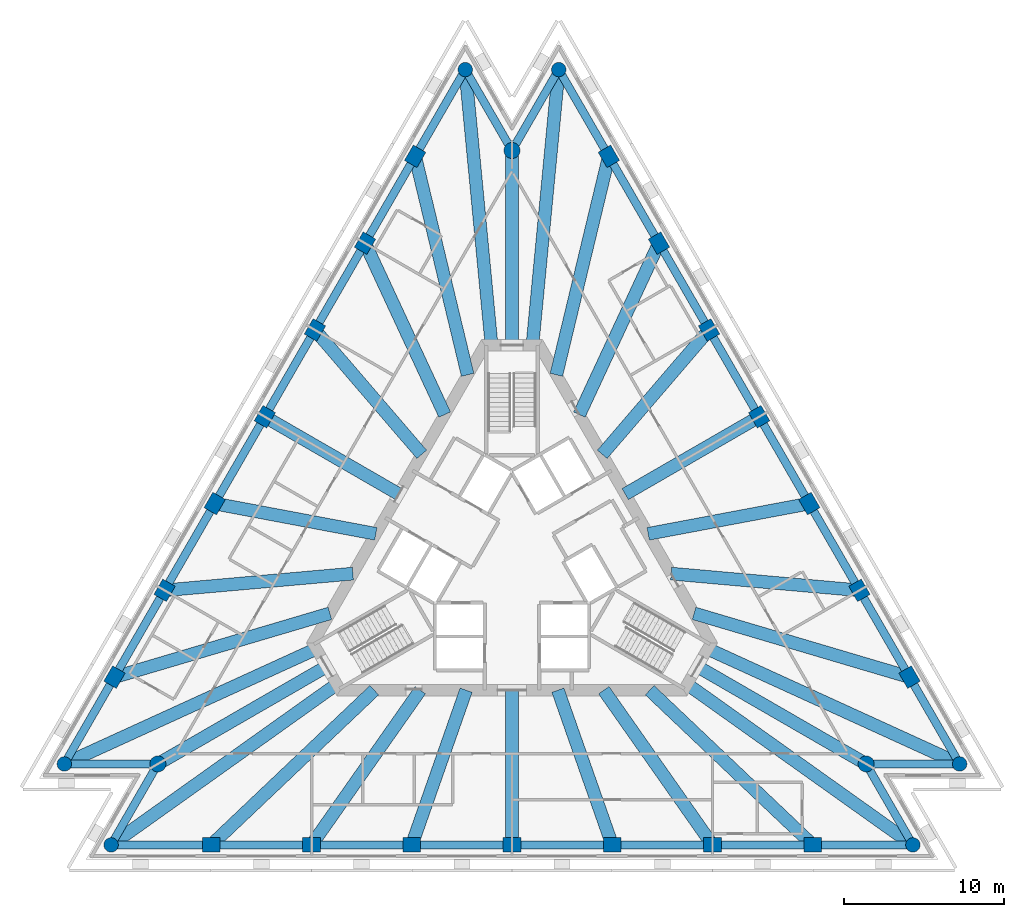
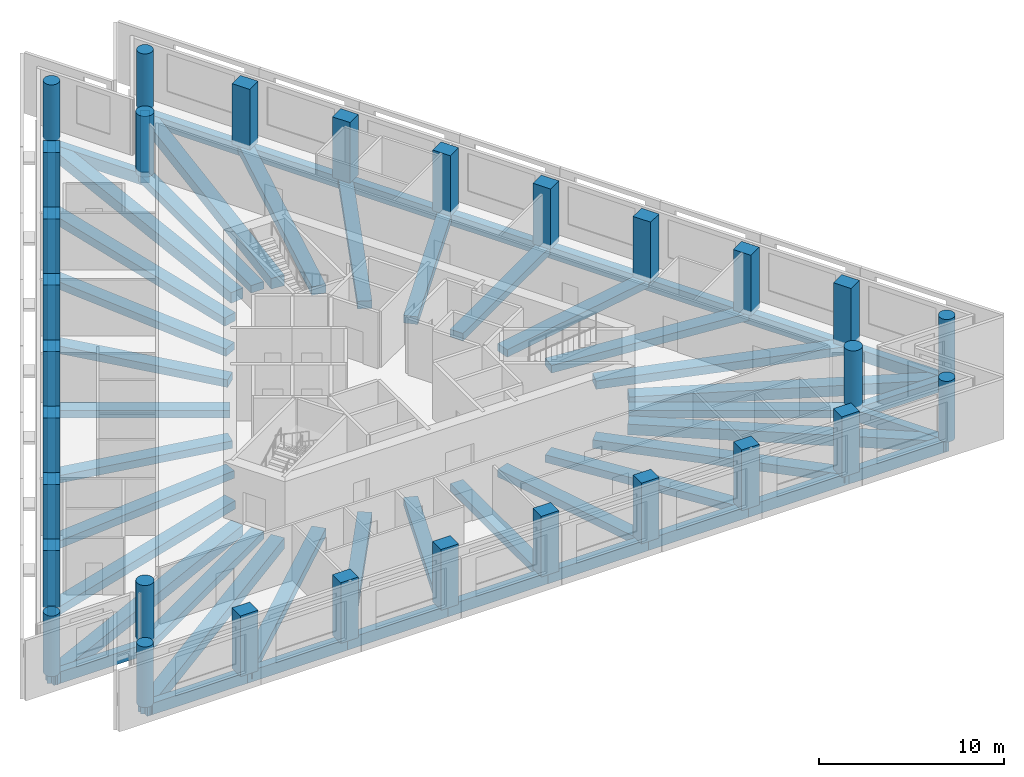
# One storey, part 1 of 10: 60 beams, 30 columns.
"""IFC4 building model written with IfcOpenShell, lengths in metres."""

import ifcopenshell
import ifcopenshell.guid

model = None  # the IFC model being written
_history = None  # IfcOwnerHistory: only IFC2X3 demands one
_inside = {}  # id of a spatial element -> (the spatial element, [elements in it])
_under = {}  # id of a project, library or spatial element -> (it, [spatial elements below it])
_declared = {}  # id of a project -> (the project, [libraries it declares])
_typed = {}  # id of a type object -> (the type object, [elements of that type])
_made_of = {}  # id of a material, layer set ... -> (it, [elements and type objects made of it])


def new_model(schema):
    """Start an empty IFC model of exactly this schema.

    Asked for "IFC4X3", IfcOpenShell would pick the latest addendum, in which some entities
    have other attributes; the version numbers below select the first issue.
    IFC2X3 requires an IfcOwnerHistory on every rooted entity: one is made here for all.
    """
    global model, _history
    if schema == "IFC4X3":
        model = ifcopenshell.file(schema_version=(4, 3, 0, 0))
    else:
        model = ifcopenshell.file(schema=schema)
    _inside.clear()
    _under.clear()
    _declared.clear()
    _typed.clear()
    _made_of.clear()
    _history = None
    if model.schema == "IFC2X3":
        org = make("IfcOrganization", Name="unknown")
        user = make(
            "IfcPersonAndOrganization",
            ThePerson=make("IfcPerson", FamilyName="unknown"),
            TheOrganization=org,
        )
        app = make(
            "IfcApplication",
            ApplicationDeveloper=org,
            Version="unknown",
            ApplicationFullName="unknown",
            ApplicationIdentifier="unknown",
        )
        _history = make(
            "IfcOwnerHistory",
            OwningUser=user,
            OwningApplication=app,
            ChangeAction="ADDED",
            CreationDate=0,
        )
    return model


def make(cls, **values):
    """One entity of the class cls with the attributes given. An attribute that is None is left unset."""
    return model.create_entity(
        cls, **{name: value for name, value in values.items() if value is not None}
    )


def rooted(cls, **values):
    """An entity with a GlobalId (a new one), such as an element, a storey or a relation."""
    return make(cls, GlobalId=ifcopenshell.guid.new(), OwnerHistory=_history, **values)


def si_unit(unit_type, name, prefix=None):
    """IfcSIUnit, for example si_unit("LENGTHUNIT", "METRE", prefix="MILLI")."""
    return make("IfcSIUnit", UnitType=unit_type, Prefix=prefix, Name=name)


def assignment(units):
    """IfcUnitAssignment: the units of a project."""
    return None if units is None else make("IfcUnitAssignment", Units=units)


def point(xyz):
    """IfcCartesianPoint."""
    return None if xyz is None else make("IfcCartesianPoint", Coordinates=xyz)


def direction(xyz):
    """IfcDirection."""
    return None if xyz is None else make("IfcDirection", DirectionRatios=xyz)


def frame(location, z_axis=None, x_axis=None):
    """IfcAxis2Placement3D, a coordinate frame: its origin and axes. An axis left out is left unset."""
    return make(
        "IfcAxis2Placement3D",
        Location=point(location),
        Axis=direction(z_axis),
        RefDirection=direction(x_axis),
    )


def frame_2d(location, x_axis=None):
    """IfcAxis2Placement2D, a coordinate frame in the plane: its origin and x axis."""
    return make(
        "IfcAxis2Placement2D", Location=point(location), RefDirection=direction(x_axis)
    )


def origin():
    """The frame at (0, 0, 0) with its axes left unset."""
    return frame((0.0, 0.0, 0.0))


def origin_2d():
    """The frame at (0, 0) in the plane with its x axis left unset."""
    return frame_2d((0.0, 0.0))


def place(relative_to, where):
    """IfcLocalPlacement: puts the frame where relative to a parent placement (None: the world)."""
    return make(
        "IfcLocalPlacement", PlacementRelTo=relative_to, RelativePlacement=where
    )


def context(
    kind, dimensions, precision=None, world=None, true_north=None, identifier=None
):
    """IfcGeometricRepresentationContext, for example the 3D "Model" context."""
    return make(
        "IfcGeometricRepresentationContext",
        ContextIdentifier=identifier,
        ContextType=kind,
        CoordinateSpaceDimension=dimensions,
        Precision=precision,
        WorldCoordinateSystem=world,
        TrueNorth=true_north,
    )


def subcontext(parent, identifier, kind, view, scale=None):
    """IfcGeometricRepresentationSubContext, for example "Body" below "Model"."""
    return make(
        "IfcGeometricRepresentationSubContext",
        ContextIdentifier=identifier,
        ContextType=kind,
        ParentContext=parent,
        TargetScale=scale,
        TargetView=view,
    )


def project(units=None, contexts=None):
    """IfcProject with its units and contexts."""
    return rooted(
        "IfcProject",
        Name="project",
        RepresentationContexts=contexts,
        UnitsInContext=assignment(units),
    )


def spatial(cls, under=None, at=None, **own):
    """A site, building, storey or space (cls), placed at a placement, below another one or the project."""
    s = rooted(cls, ObjectPlacement=at, **own)
    if under is not None:
        _under.setdefault(under.id(), (under, []))[1].append(s)
    return s


def profile(cls, at=None, kind="AREA", **sizes):
    """A parametric profile (cls). Its sizes go by their IFC names, for example OverallWidth=200.0."""
    return make(cls, ProfileType=kind, Position=at, **sizes)


def rectangle(**sizes):
    """IfcRectangleProfileDef."""
    return profile("IfcRectangleProfileDef", **sizes)


def circle(**sizes):
    """IfcCircleProfileDef."""
    return profile("IfcCircleProfileDef", **sizes)


def extrude(swept, where, along, depth):
    """IfcExtrudedAreaSolid: the profile swept, set in the frame where, extruded along a direction by depth."""
    return make(
        "IfcExtrudedAreaSolid",
        SweptArea=swept,
        Position=where,
        ExtrudedDirection=direction(along),
        Depth=depth,
    )


def shape(context_of_items, identifier, shape_type, items):
    """IfcShapeRepresentation: the items that make up one representation, for example the "Body"."""
    return make(
        "IfcShapeRepresentation",
        ContextOfItems=context_of_items,
        RepresentationIdentifier=identifier,
        RepresentationType=shape_type,
        Items=items,
    )


def material(Name=None, Category=None):
    """IfcMaterial."""
    return make("IfcMaterial", Name=Name, Category=Category)


def material_profile(
    of_material, cross_section, Name=None, Category=None, Priority=None
):
    """IfcMaterialProfile: a cross section and its material."""
    return make(
        "IfcMaterialProfile",
        Name=Name,
        Material=of_material,
        Profile=cross_section,
        Priority=Priority,
        Category=Category,
    )


def profile_set(profiles, Name=None, composite=None):
    """IfcMaterialProfileSet."""
    return make(
        "IfcMaterialProfileSet",
        Name=Name,
        MaterialProfiles=profiles,
        CompositeProfile=composite,
    )


def made_of(thing, what):
    """Note that an element or type object is made of a material, layer set ...; save() writes the relation."""
    if what is not None:
        _made_of.setdefault(what.id(), (what, []))[1].append(thing)
    return thing


def type_object(cls, material=None, **own):
    """A type object (cls), such as IfcWallType, which elements share."""
    return made_of(rooted(cls, **own), material)


def element(
    cls,
    number,
    at=None,
    inside=None,
    cuts=None,
    type_object=None,
    material=None,
    context=None,
    identifier="Body",
    shape_type=None,
    held_by="IfcProductDefinitionShape",
    body=None,
    shapes=None,
    **own,
):
    """One element of the class cls, such as IfcWall. Its Tag is "e" and its number.

    at: its placement. inside: the storey or other place that contains it. cuts: it is an
    opening in that element (IfcRelVoidsElement). A single representation is given by context,
    identifier, shape_type and body (its items); several are given by shapes. held_by: the class
    of the entity that holds the representations. save() writes the other relations.
    """
    e = rooted(cls, Tag="e%d" % number, ObjectPlacement=at, **own)
    if body is not None:
        shapes = [shape(context, identifier, shape_type, body)]
    if shapes is not None:
        e.Representation = make(held_by, Representations=shapes)
    if inside is not None:
        _inside.setdefault(inside.id(), (inside, []))[1].append(e)
    if cuts is not None:
        rooted(
            "IfcRelVoidsElement", RelatingBuildingElement=cuts, RelatedOpeningElement=e
        )
    if type_object is not None:
        _typed.setdefault(type_object.id(), (type_object, []))[1].append(e)
    return made_of(e, material)


def aggregate(whole, parts):
    """IfcRelAggregates: a whole, such as a stair, and the parts it consists of."""
    return rooted("IfcRelAggregates", RelatingObject=whole, RelatedObjects=parts)


def save(model, path):
    """Write the relations noted so far, then the file.

    IfcRelAggregates (storeys below a building ...), IfcRelContainedInSpatialStructure (elements
    in a storey), IfcRelDefinesByType, IfcRelAssociatesMaterial and IfcRelDeclares: one each for
    every whole, place, type object, material and project.
    """
    for whole, parts in _under.values():
        aggregate(whole, parts)
    for where, things in _inside.values():
        rooted(
            "IfcRelContainedInSpatialStructure",
            RelatedElements=things,
            RelatingStructure=where,
        )
    for kind, things in _typed.values():
        rooted("IfcRelDefinesByType", RelatedObjects=things, RelatingType=kind)
    for what, things in _made_of.values():
        rooted("IfcRelAssociatesMaterial", RelatedObjects=things, RelatingMaterial=what)
    for by, libraries in _declared.values():
        rooted("IfcRelDeclares", RelatingContext=by, RelatedDefinitions=libraries)
    model.write(path)


model = new_model("IFC4")

# Units and contexts
model_context = context("Model", 3, precision=1e-05, world=origin(), true_north=direction((0.0, 1.0)))
body_context = subcontext(model_context, "Body", "Model", "MODEL_VIEW")
ifc_project = project(units=[si_unit("LENGTHUNIT", "METRE"), si_unit("AREAUNIT", "SQUARE_METRE"), si_unit("VOLUMEUNIT", "CUBIC_METRE"), si_unit("PLANEANGLEUNIT", "RADIAN"), si_unit("MASSUNIT", "GRAM", prefix="KILO")], contexts=[model_context])

# Site, building, storey
site_placement = place(None, origin())
site = spatial("IfcSite", under=ifc_project, at=site_placement, CompositionType="ELEMENT")
building_placement = place(site_placement, origin())
building = spatial("IfcBuilding", under=site, at=building_placement, Name="Triada Interchange Tower", CompositionType="ELEMENT")
storey_placement = place(building_placement, frame((0.0, 0.0, 195.300048828125)))
storey = spatial("IfcBuildingStorey", under=building, at=storey_placement, Name="L45", CompositionType="ELEMENT", Elevation=195.300048828125)

# Columns
ifc_material = material(Name="Concrete C50/60", Category="concrete")
ifc_material_profile_1 = material_profile(ifc_material, rectangle(XDim=1.10009765625, YDim=0.89990234375, at=origin_2d()), Name="RC 1100x900")
ifc_profile_set_1 = profile_set([ifc_material_profile_1], Name="Concrete C50/60")
column_type_1 = type_object("IfcColumnType", Name="Column C face RC 1100x900", PredefinedType="COLUMN", material=ifc_profile_set_1)
for number, where, z_axis, x_axis, name in (
    (1, (-6.0380859375, 25.131103515625, -0.300048828125), (0.0, 0.0, 1.0), (0.5, 0.866025403784, 0.0), "Column CC02 L45"),
    (2, (-9.162109375, 19.719970703125, -0.300048828125), (0.0, 0.0, 1.0), (0.5, 0.866025403784, 0.0), "Column CC03 L45"),
    (3, (-12.285888671875, 14.30908203125, -0.300048828125), (0.0, 0.0, 1.0), (0.5, 0.866025403784, 0.0), "Column CC04 L45"),
    (4, (-15.409912109375, 8.89794921875, -0.300048828125), (0.0, 0.0, 1.0), (0.5, 0.866025403784, 0.0), "Column CC05 L45"),
    (5, (-18.534912109375, 3.486083984375, -0.300048828125), (0.0, 0.0, 1.0), (0.5, 0.866025403784, 0.0), "Column CC06 L45"),
    (6, (-21.658935546875, -1.925048828125, -0.300048828125), (0.0, 0.0, 1.0), (0.5, 0.866025403784, 0.0), "Column CC07 L45"),
    (7, (-24.782958984375, -7.3359375, -0.300048828125), (0.0, 0.0, 1.0), (0.5, 0.866025403784, 0.0), "Column CC08 L45"),
    (8, (-18.7451171875, -17.794921875, -0.300048828125), (0.0, 0.0, 1.0), (1.0, 0.0, 0.0), "Column CC11 L45"),
    (9, (-12.49609375, -17.794921875, -0.300048828125), (0.0, 0.0, 1.0), (1.0, 0.0, 0.0), "Column CC12 L45"),
    (10, (-6.248046875, -17.794921875, -0.300048828125), (0.0, 0.0, 1.0), (1.0, 0.0, 0.0), "Column CC13 L45"),
    (11, (0.0, -17.794921875, -0.300048828125), (0.0, 0.0, 1.0), (1.0, 0.0, 0.0), "Column CC14 L45"),
    (12, (6.248046875, -17.794921875, -0.300048828125), (0.0, 0.0, 1.0), (1.0, 0.0, 0.0), "Column CC15 L45"),
    (13, (12.4970703125, -17.794921875, -0.300048828125), (0.0, 0.0, 1.0), (1.0, 0.0, 0.0), "Column CC16 L45"),
    (14, (18.7451171875, -17.794921875, -0.300048828125), (0.0, 0.0, 1.0), (1.0, 0.0, 0.0), "Column CC17 L45"),
    (15, (24.782958984375, -7.3359375, -0.300048828125), (0.0, 0.0, 1.0), (-0.5, 0.866025403784, 0.0), "Column CC20 L45"),
    (16, (21.658935546875, -1.925048828125, -0.300048828125), (0.0, 0.0, 1.0), (-0.5, 0.866025403784, 0.0), "Column CC21 L45"),
    (17, (18.534912109375, 3.486083984375, -0.300048828125), (0.0, 0.0, 1.0), (-0.5, 0.866025403784, 0.0), "Column CC22 L45"),
    (18, (15.409912109375, 8.89794921875, -0.300048828125), (0.0, 0.0, 1.0), (-0.5, 0.866025403784, 0.0), "Column CC23 L45"),
    (19, (12.285888671875, 14.30908203125, -0.300048828125), (0.0, 0.0, 1.0), (-0.5, 0.866025403784, 0.0), "Column CC24 L45"),
    (20, (9.162109375, 19.719970703125, -0.300048828125), (0.0, 0.0, 1.0), (-0.5, 0.866025403784, 0.0), "Column CC25 L45"),
    (21, (6.0380859375, 25.131103515625, -0.300048828125), (0.0, 0.0, 1.0), (-0.5, 0.866025403784, 0.0), "Column CC26 L45"),
):
    element("IfcColumn", number, at=place(storey_placement, frame(where, z_axis=z_axis, x_axis=x_axis)), inside=storey, type_object=column_type_1, Name=name, PredefinedType="COLUMN", context=body_context, shape_type="SweptSolid", body=[
        extrude(rectangle(XDim=1.10009765625, YDim=0.89990234375, at=origin_2d()), origin(), (0.0, 0.0, 1.0), 4.0),
    ])
ifc_material_profile_2 = material_profile(ifc_material, circle(Radius=0.449951171875, at=origin_2d()), Name="RC D900")
ifc_profile_set_2 = profile_set([ifc_material_profile_2], Name="Concrete C50/60")
column_type_2 = type_object("IfcColumnType", Name="End column C RC D900", PredefinedType="COLUMN", material=ifc_profile_set_2)
for number, where, z_axis, x_axis, name in (
    (22, (-2.9140625, 30.5419921875, -0.300048828125), (0.0, 0.0, 1.0), (0.5, 0.866025403784, 0.0), "Column CC01 L45"),
    (23, (-27.906982421875, -12.7470703125, -0.300048828125), (0.0, 0.0, 1.0), (0.5, 0.866025403784, 0.0), "Column CC09 L45"),
    (24, (-24.992919921875, -17.794921875, -0.300048828125), (0.0, 0.0, 1.0), (1.0, 0.0, 0.0), "Column CC10 L45"),
    (25, (24.992919921875, -17.794921875, -0.300048828125), (0.0, 0.0, 1.0), (1.0, 0.0, 0.0), "Column CC18 L45"),
    (26, (27.906982421875, -12.7470703125, -0.300048828125), (0.0, 0.0, 1.0), (-0.5, 0.866025403784, 0.0), "Column CC19 L45"),
    (27, (2.9140625, 30.5419921875, -0.300048828125), (0.0, 0.0, 1.0), (-0.5, 0.866025403784, 0.0), "Column CC27 L45"),
):
    element("IfcColumn", number, at=place(storey_placement, frame(where, z_axis=z_axis, x_axis=x_axis)), inside=storey, type_object=column_type_2, Name=name, PredefinedType="COLUMN", context=body_context, shape_type="SweptSolid", body=[
        extrude(circle(Radius=0.449951171875, at=origin_2d()), origin(), (0.0, 0.0, 1.0), 4.0),
    ])
ifc_material_profile_3 = material_profile(ifc_material, circle(Radius=0.5, at=origin_2d()), Name="RC D1000")
ifc_profile_set_3 = profile_set([ifc_material_profile_3], Name="Concrete C50/60")
column_type_3 = type_object("IfcColumnType", Name="Mega column C RC D1000", PredefinedType="COLUMN", material=ifc_profile_set_3)
for number, where, z_axis, x_axis, name in (
    (28, (0.0, 25.4951171875, -0.300048828125), (0.0, 0.0, 1.0), (1.0, 0.0, 0.0), "Column MC1 L45"),
    (29, (-22.0791015625, -12.7470703125, -0.300048828125), (0.0, 0.0, 1.0), (1.0, 0.0, 0.0), "Column MC2 L45"),
    (30, (22.0791015625, -12.7470703125, -0.300048828125), (0.0, 0.0, 1.0), (1.0, 0.0, 0.0), "Column MC3 L45"),
):
    element("IfcColumn", number, at=place(storey_placement, frame(where, z_axis=z_axis, x_axis=x_axis)), inside=storey, type_object=column_type_3, Name=name, PredefinedType="COLUMN", context=body_context, shape_type="SweptSolid", body=[
        extrude(circle(Radius=0.5, at=origin_2d()), origin(), (0.0, 0.0, 1.0), 4.0),
    ])

# Beams
ifc_material_profile_4 = material_profile(ifc_material, rectangle(XDim=0.800048828125, YDim=0.5, at=origin_2d()), Name="RC 800x500")
ifc_profile_set_4 = profile_set([ifc_material_profile_4], Name="Concrete C50/60")
beam_type_1 = type_object("IfcBeamType", Name="Radial band beam C RC 800x500", PredefinedType="BEAM", material=ifc_profile_set_4)
beam_1_placement = place(storey_placement, frame((-9.162109375, 19.719970703125, -0.550048828125), z_axis=(0.421375439304, -0.906886287884, 0.0), x_axis=(0.906886287884, 0.421375439304, 0.0)))
element("IfcBeam", 31, at=beam_1_placement, inside=storey, type_object=beam_type_1, Name="Radial band beam BC03 L45", PredefinedType="BEAM", context=body_context, shape_type="SweptSolid", body=[
    extrude(rectangle(XDim=0.800048828125, YDim=0.5, at=origin_2d()), origin(), (0.0, 0.0, 1.0), 11.785400390625),
])
beam_2_placement = place(storey_placement, frame((-12.285888671875, 14.30908203125, -0.550048828125), z_axis=(0.651450059904, -0.758691517978, 0.0), x_axis=(0.758691517978, 0.651450059904, 0.0)))
element("IfcBeam", 32, at=beam_2_placement, inside=storey, type_object=beam_type_1, Name="Radial band beam BC04 L45", PredefinedType="BEAM", context=body_context, shape_type="SweptSolid", body=[
    extrude(rectangle(XDim=0.800048828125, YDim=0.5, at=origin_2d()), origin(), (0.0, 0.0, 1.0), 10.2216796875),
])
beam_3_placement = place(storey_placement, frame((-15.409912109375, 8.89794921875, -0.550048828125), z_axis=(0.865976899387, -0.500084002672, 0.0), x_axis=(0.500084002672, 0.865976899387, 0.0)))
element("IfcBeam", 33, at=beam_3_placement, inside=storey, type_object=beam_type_1, Name="Radial band beam BC05 L45", PredefinedType="BEAM", context=body_context, shape_type="SweptSolid", body=[
    extrude(rectangle(XDim=0.800048828125, YDim=0.5, at=origin_2d()), origin(), (0.0, 0.0, 1.0), 9.644287109375),
])
beam_4_placement = place(storey_placement, frame((-18.534912109375, 3.486083984375, -0.550048828125), z_axis=(0.982773627187, -0.18481341322, 0.0), x_axis=(0.18481341322, 0.982773627187, 0.0)))
element("IfcBeam", 34, at=beam_4_placement, inside=storey, type_object=beam_type_1, Name="Radial band beam BC06 L45", PredefinedType="BEAM", context=body_context, shape_type="SweptSolid", body=[
    extrude(rectangle(XDim=0.800048828125, YDim=0.5, at=origin_2d()), origin(), (0.0, 0.0, 1.0), 10.221923828125),
])
beam_5_placement = place(storey_placement, frame((-21.658935546875, -1.925048828125, -0.550048828125), z_axis=(0.996076374938, 0.088497769976, 0.0), x_axis=(-0.088497769976, 0.996076374938, 0.0)))
element("IfcBeam", 35, at=beam_5_placement, inside=storey, type_object=beam_type_1, Name="Radial band beam BC07 L45", PredefinedType="BEAM", context=body_context, shape_type="SweptSolid", body=[
    extrude(rectangle(XDim=0.800048828125, YDim=0.5, at=origin_2d()), origin(), (0.0, 0.0, 1.0), 11.78515625),
])
beam_6_placement = place(storey_placement, frame((-22.0791015625, -12.7470703125, -0.550048828125), z_axis=(0.866026229868, 0.499998569178, 0.0), x_axis=(-0.499998569178, 0.866026229868, 0.0)))
element("IfcBeam", 36, at=beam_6_placement, inside=storey, type_object=beam_type_1, Name="Radial band beam BC10 L45", PredefinedType="BEAM", context=body_context, shape_type="SweptSolid", body=[
    extrude(rectangle(XDim=0.800048828125, YDim=0.5, at=origin_2d()), origin(), (0.0, 0.0, 1.0), 12.14404296875),
])
beam_7_placement = place(storey_placement, frame((-12.49609375, -17.794921875, -0.550048828125), z_axis=(0.574696251611, 0.818366799414, 0.0), x_axis=(-0.818366799414, 0.574696251611, 0.0)))
element("IfcBeam", 37, at=beam_7_placement, inside=storey, type_object=beam_type_1, Name="Radial band beam BC13 L45", PredefinedType="BEAM", context=body_context, shape_type="SweptSolid", body=[
    extrude(rectangle(XDim=0.800048828125, YDim=0.5, at=origin_2d()), origin(), (0.0, 0.0, 1.0), 11.78564453125),
])
beam_8_placement = place(storey_placement, frame((-6.248046875, -17.794921875, -0.550048828125), z_axis=(0.3312417903, 0.943545905804, 0.0), x_axis=(-0.943545905804, 0.3312417903, 0.0)))
element("IfcBeam", 38, at=beam_8_placement, inside=storey, type_object=beam_type_1, Name="Radial band beam BC14 L45", PredefinedType="BEAM", context=body_context, shape_type="SweptSolid", body=[
    extrude(rectangle(XDim=0.800048828125, YDim=0.5, at=origin_2d()), origin(), (0.0, 0.0, 1.0), 10.22216796875),
])
beam_9_placement = place(storey_placement, frame((0.0, -17.794921875, -0.550048828125), z_axis=(0.0, 1.0, 0.0), x_axis=(-1.0, 0.0, 0.0)))
element("IfcBeam", 39, at=beam_9_placement, inside=storey, type_object=beam_type_1, Name="Radial band beam BC15 L45", PredefinedType="BEAM", context=body_context, shape_type="SweptSolid", body=[
    extrude(rectangle(XDim=0.800048828125, YDim=0.5, at=origin_2d()), origin(), (0.0, 0.0, 1.0), 9.64501953125),
])
beam_10_placement = place(storey_placement, frame((6.248046875, -17.794921875, -0.550048828125), z_axis=(-0.3312417903, 0.943545905804, 0.0), x_axis=(-0.943545905804, -0.3312417903, 0.0)))
element("IfcBeam", 40, at=beam_10_placement, inside=storey, type_object=beam_type_1, Name="Radial band beam BC16 L45", PredefinedType="BEAM", context=body_context, shape_type="SweptSolid", body=[
    extrude(rectangle(XDim=0.800048828125, YDim=0.5, at=origin_2d()), origin(), (0.0, 0.0, 1.0), 10.22216796875),
])
beam_11_placement = place(storey_placement, frame((12.4970703125, -17.794921875, -0.550048828125), z_axis=(-0.574682378026, 0.818376541933, 0.0), x_axis=(-0.818376541933, -0.574682378026, 0.0)))
element("IfcBeam", 41, at=beam_11_placement, inside=storey, type_object=beam_type_1, Name="Radial band beam BC17 L45", PredefinedType="BEAM", context=body_context, shape_type="SweptSolid", body=[
    extrude(rectangle(XDim=0.800048828125, YDim=0.5, at=origin_2d()), origin(), (0.0, 0.0, 1.0), 11.78564453125),
])
beam_12_placement = place(storey_placement, frame((22.0791015625, -12.7470703125, -0.550048828125), z_axis=(-0.866026229868, 0.499998569178, 0.0), x_axis=(-0.499998569178, -0.866026229868, 0.0)))
element("IfcBeam", 42, at=beam_12_placement, inside=storey, type_object=beam_type_1, Name="Radial band beam BC20 L45", PredefinedType="BEAM", context=body_context, shape_type="SweptSolid", body=[
    extrude(rectangle(XDim=0.800048828125, YDim=0.5, at=origin_2d()), origin(), (0.0, 0.0, 1.0), 12.14404296875),
])
beam_13_placement = place(storey_placement, frame((21.658935546875, -1.925048828125, -0.550048828125), z_axis=(-0.996076374938, 0.088497769976, 0.0), x_axis=(-0.088497769976, -0.996076374938, 0.0)))
element("IfcBeam", 43, at=beam_13_placement, inside=storey, type_object=beam_type_1, Name="Radial band beam BC23 L45", PredefinedType="BEAM", context=body_context, shape_type="SweptSolid", body=[
    extrude(rectangle(XDim=0.800048828125, YDim=0.5, at=origin_2d()), origin(), (0.0, 0.0, 1.0), 11.78515625),
])
beam_14_placement = place(storey_placement, frame((18.534912109375, 3.486083984375, -0.550048828125), z_axis=(-0.982773627187, -0.18481341322, 0.0), x_axis=(0.18481341322, -0.982773627187, 0.0)))
element("IfcBeam", 44, at=beam_14_placement, inside=storey, type_object=beam_type_1, Name="Radial band beam BC24 L45", PredefinedType="BEAM", context=body_context, shape_type="SweptSolid", body=[
    extrude(rectangle(XDim=0.800048828125, YDim=0.5, at=origin_2d()), origin(), (0.0, 0.0, 1.0), 10.221923828125),
])
beam_15_placement = place(storey_placement, frame((15.409912109375, 8.89794921875, -0.550048828125), z_axis=(-0.865976899387, -0.500084002672, 0.0), x_axis=(0.500084002672, -0.865976899387, 0.0)))
element("IfcBeam", 45, at=beam_15_placement, inside=storey, type_object=beam_type_1, Name="Radial band beam BC25 L45", PredefinedType="BEAM", context=body_context, shape_type="SweptSolid", body=[
    extrude(rectangle(XDim=0.800048828125, YDim=0.5, at=origin_2d()), origin(), (0.0, 0.0, 1.0), 9.644287109375),
])
beam_16_placement = place(storey_placement, frame((12.285888671875, 14.30908203125, -0.550048828125), z_axis=(-0.651450059904, -0.758691517978, 0.0), x_axis=(0.758691517978, -0.651450059904, 0.0)))
element("IfcBeam", 46, at=beam_16_placement, inside=storey, type_object=beam_type_1, Name="Radial band beam BC26 L45", PredefinedType="BEAM", context=body_context, shape_type="SweptSolid", body=[
    extrude(rectangle(XDim=0.800048828125, YDim=0.5, at=origin_2d()), origin(), (0.0, 0.0, 1.0), 10.2216796875),
])
beam_17_placement = place(storey_placement, frame((9.162109375, 19.719970703125, -0.550048828125), z_axis=(-0.421375439304, -0.906886287884, 0.0), x_axis=(0.906886287884, -0.421375439304, 0.0)))
element("IfcBeam", 47, at=beam_17_placement, inside=storey, type_object=beam_type_1, Name="Radial band beam BC27 L45", PredefinedType="BEAM", context=body_context, shape_type="SweptSolid", body=[
    extrude(rectangle(XDim=0.800048828125, YDim=0.5, at=origin_2d()), origin(), (0.0, 0.0, 1.0), 11.785400390625),
])
beam_18_placement = place(storey_placement, frame((0.0, 25.4951171875, -0.550048828125), z_axis=(0.0, -1.0, 0.0), x_axis=(1.0, 0.0, 0.0)))
element("IfcBeam", 48, at=beam_18_placement, inside=storey, type_object=beam_type_1, Name="Radial band beam BC30 L45", PredefinedType="BEAM", context=body_context, shape_type="SweptSolid", body=[
    extrude(rectangle(XDim=0.800048828125, YDim=0.5, at=origin_2d()), origin(), (0.0, 0.0, 1.0), 12.14501953125),
])
ifc_material_profile_5 = material_profile(ifc_material, rectangle(XDim=0.800048828125, YDim=0.550048828125, at=origin_2d()), Name="RC 800x550")
ifc_profile_set_5 = profile_set([ifc_material_profile_5], Name="Concrete C50/60")
beam_type_2 = type_object("IfcBeamType", Name="Radial band beam C RC 800x550", PredefinedType="BEAM", material=ifc_profile_set_5)
beam_19_placement = place(storey_placement, frame((-6.0380859375, 25.131103515625, -0.574951171875), z_axis=(0.233651758027, -0.972320346373, 0.0), x_axis=(0.972320346373, 0.233651758027, 0.0)))
element("IfcBeam", 49, at=beam_19_placement, inside=storey, type_object=beam_type_2, Name="Radial band beam BC02 L45", PredefinedType="BEAM", context=body_context, shape_type="SweptSolid", body=[
    extrude(rectangle(XDim=0.800048828125, YDim=0.550048828125, at=origin_2d()), origin(), (0.0, 0.0, 1.0), 14.0087890625),
])
beam_20_placement = place(storey_placement, frame((-24.782958984375, -7.3359375, -0.574951171875), z_axis=(0.958875616095, 0.283826624645, 0.0), x_axis=(-0.283826624645, 0.958875616095, 0.0)))
element("IfcBeam", 50, at=beam_20_placement, inside=storey, type_object=beam_type_2, Name="Radial band beam BC08 L45", PredefinedType="BEAM", context=body_context, shape_type="SweptSolid", body=[
    extrude(rectangle(XDim=0.800048828125, YDim=0.550048828125, at=origin_2d()), origin(), (0.0, 0.0, 1.0), 14.008056640625),
])
for number, where, z_axis, x_axis, name in (
    (51, (-18.7451171875, -17.794921875, -0.574951171875), (0.725253488125, 0.688481937281, 0.0), (-0.688481937281, 0.725253488125, 0.0), "Radial band beam BC12 L45"),
    (52, (18.7451171875, -17.794921875, -0.574951171875), (-0.725253488125, 0.688481937281, 0.0), (-0.688481937281, -0.725253488125, 0.0), "Radial band beam BC18 L45"),
):
    element("IfcBeam", number, at=place(storey_placement, frame(where, z_axis=z_axis, x_axis=x_axis)), inside=storey, type_object=beam_type_2, Name=name, PredefinedType="BEAM", context=body_context, shape_type="SweptSolid", body=[
        extrude(rectangle(XDim=0.800048828125, YDim=0.550048828125, at=origin_2d()), origin(), (0.0, 0.0, 1.0), 14.009033203125),
    ])
beam_21_placement = place(storey_placement, frame((24.782958984375, -7.3359375, -0.574951171875), z_axis=(-0.958875616095, 0.283826624645, 0.0), x_axis=(-0.283826624645, -0.958875616095, 0.0)))
element("IfcBeam", 53, at=beam_21_placement, inside=storey, type_object=beam_type_2, Name="Radial band beam BC22 L45", PredefinedType="BEAM", context=body_context, shape_type="SweptSolid", body=[
    extrude(rectangle(XDim=0.800048828125, YDim=0.550048828125, at=origin_2d()), origin(), (0.0, 0.0, 1.0), 14.008056640625),
])
beam_22_placement = place(storey_placement, frame((6.0380859375, 25.131103515625, -0.574951171875), z_axis=(-0.233651758027, -0.972320346373, 0.0), x_axis=(0.972320346373, -0.233651758027, 0.0)))
element("IfcBeam", 54, at=beam_22_placement, inside=storey, type_object=beam_type_2, Name="Radial band beam BC28 L45", PredefinedType="BEAM", context=body_context, shape_type="SweptSolid", body=[
    extrude(rectangle(XDim=0.800048828125, YDim=0.550048828125, at=origin_2d()), origin(), (0.0, 0.0, 1.0), 14.0087890625),
])
ifc_material_profile_6 = material_profile(ifc_material, rectangle(XDim=0.800048828125, YDim=0.699951171875, at=origin_2d()), Name="RC 800x700")
ifc_profile_set_6 = profile_set([ifc_material_profile_6], Name="Concrete C50/60")
beam_type_3 = type_object("IfcBeamType", Name="Radial band beam C RC 800x700", PredefinedType="BEAM", material=ifc_profile_set_6)
for number, where, z_axis, x_axis, name in (
    (55, (-2.9140625, 30.5419921875, -0.650146484375), (0.094970535987, -0.995480083826, 0.0), (0.995480083826, 0.094970535987, 0.0), "Radial band beam BC01 L45"),
    (56, (-27.906982421875, -12.7470703125, -0.650146484375), (0.909610200258, 0.415462734294, 0.0), (-0.415462734294, 0.909610200258, 0.0), "Radial band beam BC09 L45"),
):
    element("IfcBeam", number, at=place(storey_placement, frame(where, z_axis=z_axis, x_axis=x_axis)), inside=storey, type_object=beam_type_3, Name=name, PredefinedType="BEAM", context=body_context, shape_type="SweptSolid", body=[
        extrude(rectangle(XDim=0.800048828125, YDim=0.699951171875, at=origin_2d()), origin(), (0.0, 0.0, 1.0), 17.27001953125),
    ])
for number, where, z_axis, x_axis, name in (
    (57, (-24.992919921875, -17.794921875, -0.650146484375), (0.814598932614, 0.580024636532, 0.0), (-0.580024636532, 0.814598932614, 0.0), "Radial band beam BC11 L45"),
    (58, (24.992919921875, -17.794921875, -0.650146484375), (-0.814598932614, 0.580024636532, 0.0), (-0.580024636532, -0.814598932614, 0.0), "Radial band beam BC19 L45"),
):
    element("IfcBeam", number, at=place(storey_placement, frame(where, z_axis=z_axis, x_axis=x_axis)), inside=storey, type_object=beam_type_3, Name=name, PredefinedType="BEAM", context=body_context, shape_type="SweptSolid", body=[
        extrude(rectangle(XDim=0.800048828125, YDim=0.699951171875, at=origin_2d()), origin(), (0.0, 0.0, 1.0), 17.269775390625),
    ])
for number, where, z_axis, x_axis, name in (
    (59, (27.906982421875, -12.7470703125, -0.650146484375), (-0.909610200258, 0.415462734294, 0.0), (-0.415462734294, -0.909610200258, 0.0), "Radial band beam BC21 L45"),
    (60, (2.9140625, 30.5419921875, -0.650146484375), (-0.094970535987, -0.995480083826, 0.0), (0.995480083826, -0.094970535987, 0.0), "Radial band beam BC29 L45"),
):
    element("IfcBeam", number, at=place(storey_placement, frame(where, z_axis=z_axis, x_axis=x_axis)), inside=storey, type_object=beam_type_3, Name=name, PredefinedType="BEAM", context=body_context, shape_type="SweptSolid", body=[
        extrude(rectangle(XDim=0.800048828125, YDim=0.699951171875, at=origin_2d()), origin(), (0.0, 0.0, 1.0), 17.27001953125),
    ])
ifc_material_profile_7 = material_profile(ifc_material, rectangle(XDim=0.5, YDim=0.75, at=origin_2d()), Name="RC 500x750")
ifc_profile_set_7 = profile_set([ifc_material_profile_7], Name="Concrete C50/60")
beam_type_4 = type_object("IfcBeamType", Name="Spandrel beam C RC 500x750", PredefinedType="BEAM", material=ifc_profile_set_7)
beam_23_placement = place(storey_placement, frame((-2.9140625, 30.5419921875, -0.675048828125), z_axis=(-0.500005450501, -0.866022256913, 0.0), x_axis=(0.866022256913, -0.500005450501, 0.0)))
element("IfcBeam", 61, at=beam_23_placement, inside=storey, type_object=beam_type_4, Name="Spandrel beam EC01 L45", PredefinedType="BEAM", context=body_context, shape_type="SweptSolid", body=[
    extrude(rectangle(XDim=0.5, YDim=0.75, at=origin_2d()), origin(), (0.0, 0.0, 1.0), 6.248046875),
])
beam_24_placement = place(storey_placement, frame((-6.0380859375, 25.131103515625, -0.675048828125), z_axis=(-0.499988530825, -0.866032025414, 0.0), x_axis=(0.866032025414, -0.499988530825, 0.0)))
element("IfcBeam", 62, at=beam_24_placement, inside=storey, type_object=beam_type_4, Name="Spandrel beam EC02 L45", PredefinedType="BEAM", context=body_context, shape_type="SweptSolid", body=[
    extrude(rectangle(XDim=0.5, YDim=0.75, at=origin_2d()), origin(), (0.0, 0.0, 1.0), 6.248291015625),
])
beam_25_placement = place(storey_placement, frame((-9.162109375, 19.719970703125, -0.675048828125), z_axis=(-0.499976143503, -0.866039176901, 0.0), x_axis=(0.866039176901, -0.499976143503, 0.0)))
element("IfcBeam", 63, at=beam_25_placement, inside=storey, type_object=beam_type_4, Name="Spandrel beam EC03 L45", PredefinedType="BEAM", context=body_context, shape_type="SweptSolid", body=[
    extrude(rectangle(XDim=0.5, YDim=0.75, at=origin_2d()), origin(), (0.0, 0.0, 1.0), 6.247802734375),
])
beam_26_placement = place(storey_placement, frame((-12.285888671875, 14.30908203125, -0.675048828125), z_axis=(-0.499988530825, -0.866032025414, 0.0), x_axis=(0.866032025414, -0.499988530825, 0.0)))
element("IfcBeam", 64, at=beam_26_placement, inside=storey, type_object=beam_type_4, Name="Spandrel beam EC04 L45", PredefinedType="BEAM", context=body_context, shape_type="SweptSolid", body=[
    extrude(rectangle(XDim=0.5, YDim=0.75, at=origin_2d()), origin(), (0.0, 0.0, 1.0), 6.248291015625),
])
beam_27_placement = place(storey_placement, frame((-15.409912109375, 8.89794921875, -0.675048828125), z_axis=(-0.500054983052, -0.865993656977, 0.0), x_axis=(0.865993656977, -0.500054983052, 0.0)))
element("IfcBeam", 65, at=beam_27_placement, inside=storey, type_object=beam_type_4, Name="Spandrel beam EC05 L45", PredefinedType="BEAM", context=body_context, shape_type="SweptSolid", body=[
    extrude(rectangle(XDim=0.5, YDim=0.75, at=origin_2d()), origin(), (0.0, 0.0, 1.0), 6.249267578125),
])
beam_28_placement = place(storey_placement, frame((-18.534912109375, 3.486083984375, -0.675048828125), z_axis=(-0.499988530825, -0.866032025414, 0.0), x_axis=(0.866032025414, -0.499988530825, 0.0)))
element("IfcBeam", 66, at=beam_28_placement, inside=storey, type_object=beam_type_4, Name="Spandrel beam EC06 L45", PredefinedType="BEAM", context=body_context, shape_type="SweptSolid", body=[
    extrude(rectangle(XDim=0.5, YDim=0.75, at=origin_2d()), origin(), (0.0, 0.0, 1.0), 6.248291015625),
])
beam_29_placement = place(storey_placement, frame((-21.658935546875, -1.925048828125, -0.675048828125), z_axis=(-0.500005450501, -0.866022256913, 0.0), x_axis=(0.866022256913, -0.500005450501, 0.0)))
element("IfcBeam", 67, at=beam_29_placement, inside=storey, type_object=beam_type_4, Name="Spandrel beam EC07 L45", PredefinedType="BEAM", context=body_context, shape_type="SweptSolid", body=[
    extrude(rectangle(XDim=0.5, YDim=0.75, at=origin_2d()), origin(), (0.0, 0.0, 1.0), 6.248046875),
])
beam_30_placement = place(storey_placement, frame((-24.782958984375, -7.3359375, -0.675048828125), z_axis=(-0.499988530825, -0.866032025414, 0.0), x_axis=(0.866032025414, -0.499988530825, 0.0)))
element("IfcBeam", 68, at=beam_30_placement, inside=storey, type_object=beam_type_4, Name="Spandrel beam EC08 L45", PredefinedType="BEAM", context=body_context, shape_type="SweptSolid", body=[
    extrude(rectangle(XDim=0.5, YDim=0.75, at=origin_2d()), origin(), (0.0, 0.0, 1.0), 6.248291015625),
])
beam_31_placement = place(storey_placement, frame((-27.906982421875, -12.7470703125, -0.675048828125), z_axis=(1.0, 0.0, 0.0), x_axis=(0.0, 1.0, 0.0)))
element("IfcBeam", 69, at=beam_31_placement, inside=storey, type_object=beam_type_4, Name="Spandrel beam EC09 L45", PredefinedType="BEAM", context=body_context, shape_type="SweptSolid", body=[
    extrude(rectangle(XDim=0.5, YDim=0.75, at=origin_2d()), origin(), (0.0, 0.0, 1.0), 5.827880859375),
])
beam_32_placement = place(storey_placement, frame((-22.0791015625, -12.7470703125, -0.675048828125), z_axis=(-0.499927925529, -0.866067012001, 0.0), x_axis=(0.866067012001, -0.499927925529, 0.0)))
element("IfcBeam", 70, at=beam_32_placement, inside=storey, type_object=beam_type_4, Name="Spandrel beam EC10 L45", PredefinedType="BEAM", context=body_context, shape_type="SweptSolid", body=[
    extrude(rectangle(XDim=0.5, YDim=0.75, at=origin_2d()), origin(), (0.0, 0.0, 1.0), 5.828369140625),
])
beam_33_placement = place(storey_placement, frame((-24.992919921875, -17.794921875, -0.675048828125), z_axis=(1.0, 0.0, 0.0), x_axis=(0.0, 1.0, 0.0)))
element("IfcBeam", 71, at=beam_33_placement, inside=storey, type_object=beam_type_4, Name="Spandrel beam EC11 L45", PredefinedType="BEAM", context=body_context, shape_type="SweptSolid", body=[
    extrude(rectangle(XDim=0.5, YDim=0.75, at=origin_2d()), origin(), (0.0, 0.0, 1.0), 6.247802734375),
])
beam_34_placement = place(storey_placement, frame((-18.7451171875, -17.794921875, -0.675048828125), z_axis=(1.0, 0.0, 0.0), x_axis=(0.0, 1.0, 0.0)))
element("IfcBeam", 72, at=beam_34_placement, inside=storey, type_object=beam_type_4, Name="Spandrel beam EC12 L45", PredefinedType="BEAM", context=body_context, shape_type="SweptSolid", body=[
    extrude(rectangle(XDim=0.5, YDim=0.75, at=origin_2d()), origin(), (0.0, 0.0, 1.0), 6.2490234375),
])
for number, where, z_axis, x_axis, name in (
    (73, (-12.49609375, -17.794921875, -0.675048828125), (1.0, 0.0, 0.0), (0.0, 1.0, 0.0), "Spandrel beam EC13 L45"),
    (74, (-6.248046875, -17.794921875, -0.675048828125), (1.0, 0.0, 0.0), (0.0, 1.0, 0.0), "Spandrel beam EC14 L45"),
    (75, (0.0, -17.794921875, -0.675048828125), (1.0, 0.0, 0.0), (0.0, 1.0, 0.0), "Spandrel beam EC15 L45"),
):
    element("IfcBeam", number, at=place(storey_placement, frame(where, z_axis=z_axis, x_axis=x_axis)), inside=storey, type_object=beam_type_4, Name=name, PredefinedType="BEAM", context=body_context, shape_type="SweptSolid", body=[
        extrude(rectangle(XDim=0.5, YDim=0.75, at=origin_2d()), origin(), (0.0, 0.0, 1.0), 6.248046875),
    ])
beam_35_placement = place(storey_placement, frame((6.248046875, -17.794921875, -0.675048828125), z_axis=(1.0, 0.0, 0.0), x_axis=(0.0, 1.0, 0.0)))
element("IfcBeam", 76, at=beam_35_placement, inside=storey, type_object=beam_type_4, Name="Spandrel beam EC16 L45", PredefinedType="BEAM", context=body_context, shape_type="SweptSolid", body=[
    extrude(rectangle(XDim=0.5, YDim=0.75, at=origin_2d()), origin(), (0.0, 0.0, 1.0), 6.2490234375),
])
beam_36_placement = place(storey_placement, frame((12.4970703125, -17.794921875, -0.675048828125), z_axis=(1.0, 0.0, 0.0), x_axis=(0.0, 1.0, 0.0)))
element("IfcBeam", 77, at=beam_36_placement, inside=storey, type_object=beam_type_4, Name="Spandrel beam EC17 L45", PredefinedType="BEAM", context=body_context, shape_type="SweptSolid", body=[
    extrude(rectangle(XDim=0.5, YDim=0.75, at=origin_2d()), origin(), (0.0, 0.0, 1.0), 6.248046875),
])
beam_37_placement = place(storey_placement, frame((18.7451171875, -17.794921875, -0.675048828125), z_axis=(1.0, 0.0, 0.0), x_axis=(0.0, 1.0, 0.0)))
element("IfcBeam", 78, at=beam_37_placement, inside=storey, type_object=beam_type_4, Name="Spandrel beam EC18 L45", PredefinedType="BEAM", context=body_context, shape_type="SweptSolid", body=[
    extrude(rectangle(XDim=0.5, YDim=0.75, at=origin_2d()), origin(), (0.0, 0.0, 1.0), 6.247802734375),
])
beam_38_placement = place(storey_placement, frame((24.992919921875, -17.794921875, -0.675048828125), z_axis=(-0.499927925529, 0.866067012001, 0.0), x_axis=(-0.866067012001, -0.499927925529, 0.0)))
element("IfcBeam", 79, at=beam_38_placement, inside=storey, type_object=beam_type_4, Name="Spandrel beam EC19 L45", PredefinedType="BEAM", context=body_context, shape_type="SweptSolid", body=[
    extrude(rectangle(XDim=0.5, YDim=0.75, at=origin_2d()), origin(), (0.0, 0.0, 1.0), 5.828369140625),
])
beam_39_placement = place(storey_placement, frame((22.0791015625, -12.7470703125, -0.675048828125), z_axis=(1.0, 0.0, 0.0), x_axis=(0.0, 1.0, 0.0)))
element("IfcBeam", 80, at=beam_39_placement, inside=storey, type_object=beam_type_4, Name="Spandrel beam EC20 L45", PredefinedType="BEAM", context=body_context, shape_type="SweptSolid", body=[
    extrude(rectangle(XDim=0.5, YDim=0.75, at=origin_2d()), origin(), (0.0, 0.0, 1.0), 5.827880859375),
])
beam_40_placement = place(storey_placement, frame((27.906982421875, -12.7470703125, -0.675048828125), z_axis=(-0.499988530825, 0.866032025414, 0.0), x_axis=(-0.866032025414, -0.499988530825, 0.0)))
element("IfcBeam", 81, at=beam_40_placement, inside=storey, type_object=beam_type_4, Name="Spandrel beam EC21 L45", PredefinedType="BEAM", context=body_context, shape_type="SweptSolid", body=[
    extrude(rectangle(XDim=0.5, YDim=0.75, at=origin_2d()), origin(), (0.0, 0.0, 1.0), 6.248291015625),
])
beam_41_placement = place(storey_placement, frame((24.782958984375, -7.3359375, -0.675048828125), z_axis=(-0.500005450501, 0.866022256913, 0.0), x_axis=(-0.866022256913, -0.500005450501, 0.0)))
element("IfcBeam", 82, at=beam_41_placement, inside=storey, type_object=beam_type_4, Name="Spandrel beam EC22 L45", PredefinedType="BEAM", context=body_context, shape_type="SweptSolid", body=[
    extrude(rectangle(XDim=0.5, YDim=0.75, at=origin_2d()), origin(), (0.0, 0.0, 1.0), 6.248046875),
])
beam_42_placement = place(storey_placement, frame((21.658935546875, -1.925048828125, -0.675048828125), z_axis=(-0.499988530825, 0.866032025414, 0.0), x_axis=(-0.866032025414, -0.499988530825, 0.0)))
element("IfcBeam", 83, at=beam_42_placement, inside=storey, type_object=beam_type_4, Name="Spandrel beam EC23 L45", PredefinedType="BEAM", context=body_context, shape_type="SweptSolid", body=[
    extrude(rectangle(XDim=0.5, YDim=0.75, at=origin_2d()), origin(), (0.0, 0.0, 1.0), 6.248291015625),
])
beam_43_placement = place(storey_placement, frame((18.534912109375, 3.486083984375, -0.675048828125), z_axis=(-0.500054983052, 0.865993656977, 0.0), x_axis=(-0.865993656977, -0.500054983052, 0.0)))
element("IfcBeam", 84, at=beam_43_placement, inside=storey, type_object=beam_type_4, Name="Spandrel beam EC24 L45", PredefinedType="BEAM", context=body_context, shape_type="SweptSolid", body=[
    extrude(rectangle(XDim=0.5, YDim=0.75, at=origin_2d()), origin(), (0.0, 0.0, 1.0), 6.249267578125),
])
beam_44_placement = place(storey_placement, frame((15.409912109375, 8.89794921875, -0.675048828125), z_axis=(-0.499988530825, 0.866032025414, 0.0), x_axis=(-0.866032025414, -0.499988530825, 0.0)))
element("IfcBeam", 85, at=beam_44_placement, inside=storey, type_object=beam_type_4, Name="Spandrel beam EC25 L45", PredefinedType="BEAM", context=body_context, shape_type="SweptSolid", body=[
    extrude(rectangle(XDim=0.5, YDim=0.75, at=origin_2d()), origin(), (0.0, 0.0, 1.0), 6.248291015625),
])
beam_45_placement = place(storey_placement, frame((12.285888671875, 14.30908203125, -0.675048828125), z_axis=(-0.499976143503, 0.866039176901, 0.0), x_axis=(-0.866039176901, -0.499976143503, 0.0)))
element("IfcBeam", 86, at=beam_45_placement, inside=storey, type_object=beam_type_4, Name="Spandrel beam EC26 L45", PredefinedType="BEAM", context=body_context, shape_type="SweptSolid", body=[
    extrude(rectangle(XDim=0.5, YDim=0.75, at=origin_2d()), origin(), (0.0, 0.0, 1.0), 6.247802734375),
])
beam_46_placement = place(storey_placement, frame((9.162109375, 19.719970703125, -0.675048828125), z_axis=(-0.499988530825, 0.866032025414, 0.0), x_axis=(-0.866032025414, -0.499988530825, 0.0)))
element("IfcBeam", 87, at=beam_46_placement, inside=storey, type_object=beam_type_4, Name="Spandrel beam EC27 L45", PredefinedType="BEAM", context=body_context, shape_type="SweptSolid", body=[
    extrude(rectangle(XDim=0.5, YDim=0.75, at=origin_2d()), origin(), (0.0, 0.0, 1.0), 6.248291015625),
])
beam_47_placement = place(storey_placement, frame((6.0380859375, 25.131103515625, -0.675048828125), z_axis=(-0.500005450501, 0.866022256913, 0.0), x_axis=(-0.866022256913, -0.500005450501, 0.0)))
element("IfcBeam", 88, at=beam_47_placement, inside=storey, type_object=beam_type_4, Name="Spandrel beam EC28 L45", PredefinedType="BEAM", context=body_context, shape_type="SweptSolid", body=[
    extrude(rectangle(XDim=0.5, YDim=0.75, at=origin_2d()), origin(), (0.0, 0.0, 1.0), 6.248046875),
])
for number, where, z_axis, x_axis, name in (
    (89, (2.9140625, 30.5419921875, -0.675048828125), (-0.500031897912, -0.866006986733, 0.0), (0.866006986733, -0.500031897912, 0.0), "Spandrel beam EC29 L45"),
    (90, (0.0, 25.4951171875, -0.675048828125), (-0.500031897912, 0.866006986733, 0.0), (-0.866006986733, -0.500031897912, 0.0), "Spandrel beam EC30 L45"),
):
    element("IfcBeam", number, at=place(storey_placement, frame(where, z_axis=z_axis, x_axis=x_axis)), inside=storey, type_object=beam_type_4, Name=name, PredefinedType="BEAM", context=body_context, shape_type="SweptSolid", body=[
        extrude(rectangle(XDim=0.5, YDim=0.75, at=origin_2d()), origin(), (0.0, 0.0, 1.0), 5.82763671875),
    ])

save(model, "model.ifc")
